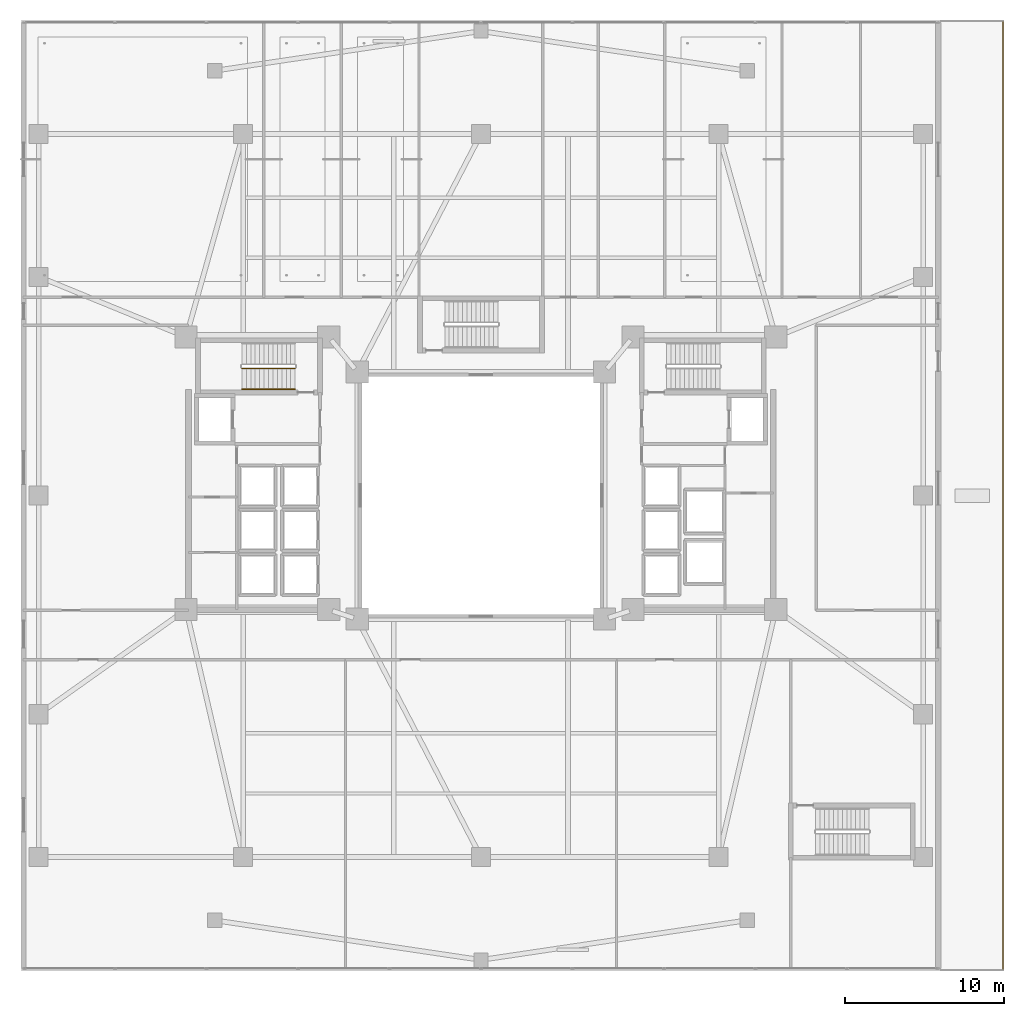
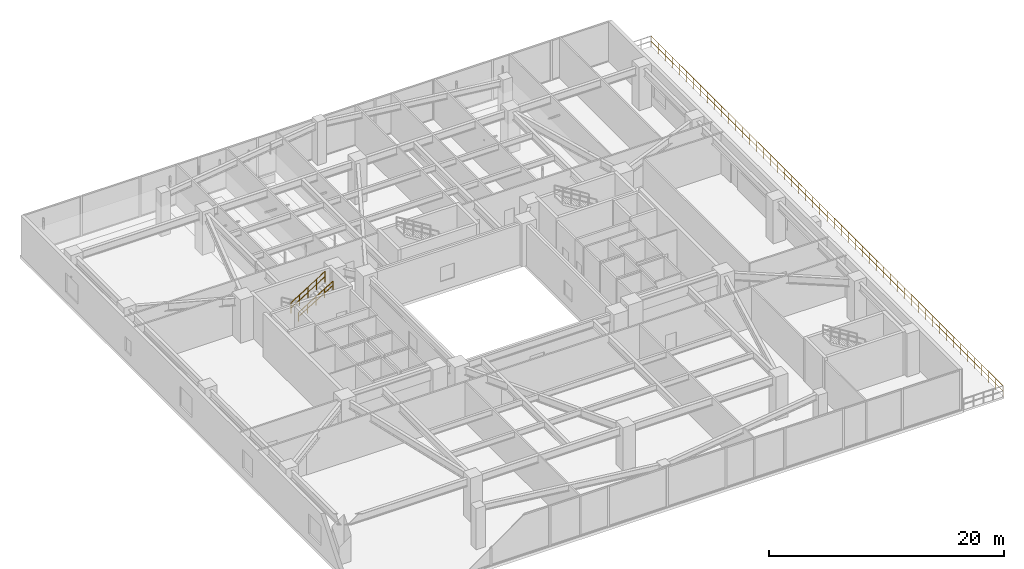
# One storey, part 25 of 27: 3 railings.
"""IFC4 building model written with IfcOpenShell, lengths in metres."""

from ifc_helpers import new_model, si_unit, direction, frame, origin, origin_2d, place, context, subcontext, project, spatial, circle, extrude, material, type_object, element, save


model = new_model("IFC4")

# Units and contexts
model_context = context("Model", 3, precision=1e-05, world=origin(), true_north=direction((0.0, 1.0)))
body_context = subcontext(model_context, "Body", "Model", "MODEL_VIEW")
ifc_project = project(units=[si_unit("LENGTHUNIT", "METRE"), si_unit("AREAUNIT", "SQUARE_METRE"), si_unit("VOLUMEUNIT", "CUBIC_METRE"), si_unit("PLANEANGLEUNIT", "RADIAN"), si_unit("MASSUNIT", "GRAM", prefix="KILO")], contexts=[model_context])

# Site, building, storey
site_placement = place(None, origin())
site = spatial("IfcSite", under=ifc_project, at=site_placement, CompositionType="ELEMENT")
building_placement = place(site_placement, origin())
building = spatial("IfcBuilding", under=site, at=building_placement, Name="Tarnavaz Court Tower", CompositionType="ELEMENT")
storey_placement = place(building_placement, frame((0.0, 0.0, 9.89990234375)))
storey = spatial("IfcBuildingStorey", under=building, at=storey_placement, Name="L02", CompositionType="ELEMENT", Elevation=9.89990234375)

# Railings
ifc_material_1 = material(Name="Anodised Aluminium 6063-T6 and Laminated Safety Glass", Category="aluminium")
railing_type_1 = type_object("IfcRailingType", Name="RL-BAL-1120", PredefinedType="BALUSTRADE", material=ifc_material_1)
railing_1_placement = place(storey_placement, frame((32.93994140625, -29.93994140625, 0.0)))
element("IfcRailing", 1, at=railing_1_placement, inside=storey, type_object=railing_type_1, Name="L02 Terrace 1 E Perimeter Balustrade", PredefinedType="BALUSTRADE", context=body_context, shape_type="SweptSolid", body=[
    extrude(circle(Radius=0.02392578125, at=origin_2d()), frame((0.0, 0.0, 1.09619140625), z_axis=(0.0, 1.0, 0.0), x_axis=(-1.0, 0.0, 0.0)), (0.0, 0.0, 1.0), 59.8798828125),
    extrude(circle(Radius=0.02392578125, at=origin_2d()), frame((0.0, 0.0, 0.56005859375), z_axis=(0.0, 1.0, 0.0), x_axis=(-1.0, 0.0, 0.0)), (0.0, 0.0, 1.0), 59.8798828125),
    extrude(circle(Radius=0.02099609375, at=origin_2d()), origin(), (0.0, 0.0, 1.0), 1.072021484375),
    extrude(circle(Radius=0.02099609375, at=origin_2d()), frame((0.0, 1.197509765625, 0.0)), (0.0, 0.0, 1.0), 1.072021484375),
    extrude(circle(Radius=0.02099609375, at=origin_2d()), frame((0.0, 2.395263671875, 0.0)), (0.0, 0.0, 1.0), 1.072021484375),
    extrude(circle(Radius=0.02099609375, at=origin_2d()), frame((0.0, 3.5927734375, 0.0)), (0.0, 0.0, 1.0), 1.072021484375),
    extrude(circle(Radius=0.02099609375, at=origin_2d()), frame((0.0, 4.790283203125, 0.0)), (0.0, 0.0, 1.0), 1.072021484375),
    extrude(circle(Radius=0.02099609375, at=origin_2d()), frame((0.0, 5.988037109375, 0.0)), (0.0, 0.0, 1.0), 1.072021484375),
    extrude(circle(Radius=0.02099609375, at=origin_2d()), frame((0.0, 7.185546875, 0.0)), (0.0, 0.0, 1.0), 1.072021484375),
    extrude(circle(Radius=0.02099609375, at=origin_2d()), frame((0.0, 8.38330078125, 0.0)), (0.0, 0.0, 1.0), 1.072021484375),
    extrude(circle(Radius=0.02099609375, at=origin_2d()), frame((0.0, 9.580810546875, 0.0)), (0.0, 0.0, 1.0), 1.072021484375),
    extrude(circle(Radius=0.02099609375, at=origin_2d()), frame((0.0, 10.7783203125, 0.0)), (0.0, 0.0, 1.0), 1.072021484375),
    extrude(circle(Radius=0.02099609375, at=origin_2d()), frame((0.0, 11.97607421875, 0.0)), (0.0, 0.0, 1.0), 1.072021484375),
    extrude(circle(Radius=0.02099609375, at=origin_2d()), frame((0.0, 13.173583984375, 0.0)), (0.0, 0.0, 1.0), 1.072021484375),
    extrude(circle(Radius=0.02099609375, at=origin_2d()), frame((0.0, 14.37109375, 0.0)), (0.0, 0.0, 1.0), 1.072021484375),
    extrude(circle(Radius=0.02099609375, at=origin_2d()), frame((0.0, 15.56884765625, 0.0)), (0.0, 0.0, 1.0), 1.072021484375),
    extrude(circle(Radius=0.02099609375, at=origin_2d()), frame((0.0, 16.766357421875, 0.0)), (0.0, 0.0, 1.0), 1.072021484375),
    extrude(circle(Radius=0.02099609375, at=origin_2d()), frame((0.0, 17.9638671875, 0.0)), (0.0, 0.0, 1.0), 1.072021484375),
    extrude(circle(Radius=0.02099609375, at=origin_2d()), frame((0.0, 19.16162109375, 0.0)), (0.0, 0.0, 1.0), 1.072021484375),
    extrude(circle(Radius=0.02099609375, at=origin_2d()), frame((0.0, 20.359130859375, 0.0)), (0.0, 0.0, 1.0), 1.072021484375),
    extrude(circle(Radius=0.02099609375, at=origin_2d()), frame((0.0, 21.556640625, 0.0)), (0.0, 0.0, 1.0), 1.072021484375),
    extrude(circle(Radius=0.02099609375, at=origin_2d()), frame((0.0, 22.75439453125, 0.0)), (0.0, 0.0, 1.0), 1.072021484375),
    extrude(circle(Radius=0.02099609375, at=origin_2d()), frame((0.0, 23.951904296875, 0.0)), (0.0, 0.0, 1.0), 1.072021484375),
    extrude(circle(Radius=0.02099609375, at=origin_2d()), frame((0.0, 25.149658203125, 0.0)), (0.0, 0.0, 1.0), 1.072021484375),
    extrude(circle(Radius=0.02099609375, at=origin_2d()), frame((0.0, 26.34716796875, 0.0)), (0.0, 0.0, 1.0), 1.072021484375),
    extrude(circle(Radius=0.02099609375, at=origin_2d()), frame((0.0, 27.544677734375, 0.0)), (0.0, 0.0, 1.0), 1.072021484375),
    extrude(circle(Radius=0.02099609375, at=origin_2d()), frame((0.0, 28.742431640625, 0.0)), (0.0, 0.0, 1.0), 1.072021484375),
    extrude(circle(Radius=0.02099609375, at=origin_2d()), frame((0.0, 29.93994140625, 0.0)), (0.0, 0.0, 1.0), 1.072021484375),
    extrude(circle(Radius=0.02099609375, at=origin_2d()), frame((0.0, 31.137451171875, 0.0)), (0.0, 0.0, 1.0), 1.072021484375),
    extrude(circle(Radius=0.02099609375, at=origin_2d()), frame((0.0, 32.335205078125, 0.0)), (0.0, 0.0, 1.0), 1.072021484375),
    extrude(circle(Radius=0.02099609375, at=origin_2d()), frame((0.0, 33.53271484375, 0.0)), (0.0, 0.0, 1.0), 1.072021484375),
    extrude(circle(Radius=0.02099609375, at=origin_2d()), frame((0.0, 34.730224609375, 0.0)), (0.0, 0.0, 1.0), 1.072021484375),
    extrude(circle(Radius=0.02099609375, at=origin_2d()), frame((0.0, 35.927978515625, 0.0)), (0.0, 0.0, 1.0), 1.072021484375),
    extrude(circle(Radius=0.02099609375, at=origin_2d()), frame((0.0, 37.12548828125, 0.0)), (0.0, 0.0, 1.0), 1.072021484375),
    extrude(circle(Radius=0.02099609375, at=origin_2d()), frame((0.0, 38.3232421875, 0.0)), (0.0, 0.0, 1.0), 1.072021484375),
    extrude(circle(Radius=0.02099609375, at=origin_2d()), frame((0.0, 39.520751953125, 0.0)), (0.0, 0.0, 1.0), 1.072021484375),
    extrude(circle(Radius=0.02099609375, at=origin_2d()), frame((0.0, 40.71826171875, 0.0)), (0.0, 0.0, 1.0), 1.072021484375),
    extrude(circle(Radius=0.02099609375, at=origin_2d()), frame((0.0, 41.916015625, 0.0)), (0.0, 0.0, 1.0), 1.072021484375),
    extrude(circle(Radius=0.02099609375, at=origin_2d()), frame((0.0, 43.113525390625, 0.0)), (0.0, 0.0, 1.0), 1.072021484375),
    extrude(circle(Radius=0.02099609375, at=origin_2d()), frame((0.0, 44.31103515625, 0.0)), (0.0, 0.0, 1.0), 1.072021484375),
    extrude(circle(Radius=0.02099609375, at=origin_2d()), frame((0.0, 45.5087890625, 0.0)), (0.0, 0.0, 1.0), 1.072021484375),
    extrude(circle(Radius=0.02099609375, at=origin_2d()), frame((0.0, 46.706298828125, 0.0)), (0.0, 0.0, 1.0), 1.072021484375),
    extrude(circle(Radius=0.02099609375, at=origin_2d()), frame((0.0, 47.90380859375, 0.0)), (0.0, 0.0, 1.0), 1.072021484375),
    extrude(circle(Radius=0.02099609375, at=origin_2d()), frame((0.0, 49.1015625, 0.0)), (0.0, 0.0, 1.0), 1.072021484375),
    extrude(circle(Radius=0.02099609375, at=origin_2d()), frame((0.0, 50.299072265625, 0.0)), (0.0, 0.0, 1.0), 1.072021484375),
    extrude(circle(Radius=0.02099609375, at=origin_2d()), frame((0.0, 51.49658203125, 0.0)), (0.0, 0.0, 1.0), 1.072021484375),
    extrude(circle(Radius=0.02099609375, at=origin_2d()), frame((0.0, 52.6943359375, 0.0)), (0.0, 0.0, 1.0), 1.072021484375),
    extrude(circle(Radius=0.02099609375, at=origin_2d()), frame((0.0, 53.891845703125, 0.0)), (0.0, 0.0, 1.0), 1.072021484375),
    extrude(circle(Radius=0.02099609375, at=origin_2d()), frame((0.0, 55.089599609375, 0.0)), (0.0, 0.0, 1.0), 1.072021484375),
    extrude(circle(Radius=0.02099609375, at=origin_2d()), frame((0.0, 56.287109375, 0.0)), (0.0, 0.0, 1.0), 1.072021484375),
    extrude(circle(Radius=0.02099609375, at=origin_2d()), frame((0.0, 57.484619140625, 0.0)), (0.0, 0.0, 1.0), 1.072021484375),
    extrude(circle(Radius=0.02099609375, at=origin_2d()), frame((0.0, 58.682373046875, 0.0)), (0.0, 0.0, 1.0), 1.072021484375),
    extrude(circle(Radius=0.02099609375, at=origin_2d()), frame((0.0, 59.8798828125, 0.0)), (0.0, 0.0, 1.0), 1.072021484375),
])
ifc_material_2 = material(Name="Brushed Stainless Steel", Category="steel")
railing_type_2 = type_object("IfcRailingType", Name="RL-HANDRAIL-900", PredefinedType="HANDRAIL", material=ifc_material_2)
railing_2_placement = place(storey_placement, frame((-15.080078125, 6.699951171875, 2.423095703125)))
element("IfcRailing", 2, at=railing_2_placement, inside=storey, type_object=railing_type_2, Name="L02 ST-W1 stair handrail 2", PredefinedType="HANDRAIL", context=body_context, shape_type="SweptSolid", body=[
    extrude(circle(Radius=0.02392578125, at=origin_2d()), frame((0.0, 0.0, 0.8759765625), z_axis=(0.850623216509, 0.0, 0.525775754039), x_axis=(0.0, 1.0, 0.0)), (0.0, 0.0, 1.0), 3.9501953125),
    extrude(circle(Radius=0.02392578125, at=origin_2d()), frame((0.0, 0.0, 0.449951171875), z_axis=(0.850623216509, 0.0, 0.525775754039), x_axis=(0.0, 1.0, 0.0)), (0.0, 0.0, 1.0), 3.9501953125),
    extrude(circle(Radius=0.02099609375, at=origin_2d()), origin(), (0.0, 0.0, 1.0), 0.851806640625),
    extrude(circle(Radius=0.02099609375, at=origin_2d()), frame((0.840087890625, 0.0, 0.519287109375)), (0.0, 0.0, 1.0), 0.851806640625),
    extrude(circle(Radius=0.02099609375, at=origin_2d()), frame((1.68017578125, 0.0, 1.03857421875)), (0.0, 0.0, 1.0), 0.851806640625),
    extrude(circle(Radius=0.02099609375, at=origin_2d()), frame((2.52001953125, 0.0, 1.5576171875)), (0.0, 0.0, 1.0), 0.851806640625),
    extrude(circle(Radius=0.02099609375, at=origin_2d()), frame((3.360107421875, 0.0, 2.076904296875)), (0.0, 0.0, 1.0), 0.851806640625),
])
ifc_material_3 = material(Name="Galvanized Painted Tubular Steel", Category="steel")
railing_type_3 = type_object("IfcRailingType", Name="RL-STGUARD-1120", PredefinedType="GUARDRAIL", material=ifc_material_3)
railing_3_placement = place(storey_placement, frame((-15.080078125, 8.02001953125, 2.423095703125)))
element("IfcRailing", 3, at=railing_3_placement, inside=storey, type_object=railing_type_3, Name="L02 ST-W1 stair guard 3", PredefinedType="GUARDRAIL", context=body_context, shape_type="SweptSolid", body=[
    extrude(circle(Radius=0.02392578125, at=origin_2d()), frame((0.0, 0.0, 1.09619140625), z_axis=(0.850623216509, 0.0, 0.525775754039), x_axis=(0.0, 1.0, 0.0)), (0.0, 0.0, 1.0), 3.9501953125),
    extrude(circle(Radius=0.02392578125, at=origin_2d()), frame((0.0, 0.0, 0.56005859375), z_axis=(0.850623216509, 0.0, 0.525775754039), x_axis=(0.0, 1.0, 0.0)), (0.0, 0.0, 1.0), 3.9501953125),
    extrude(circle(Radius=0.02099609375, at=origin_2d()), origin(), (0.0, 0.0, 1.0), 1.072021484375),
    extrude(circle(Radius=0.02099609375, at=origin_2d()), frame((0.840087890625, 0.0, 0.519287109375)), (0.0, 0.0, 1.0), 1.072021484375),
    extrude(circle(Radius=0.02099609375, at=origin_2d()), frame((1.68017578125, 0.0, 1.03857421875)), (0.0, 0.0, 1.0), 1.072021484375),
    extrude(circle(Radius=0.02099609375, at=origin_2d()), frame((2.52001953125, 0.0, 1.5576171875)), (0.0, 0.0, 1.0), 1.072021484375),
    extrude(circle(Radius=0.02099609375, at=origin_2d()), frame((3.360107421875, 0.0, 2.076904296875)), (0.0, 0.0, 1.0), 1.072021484375),
])

save(model, "model.ifc")
